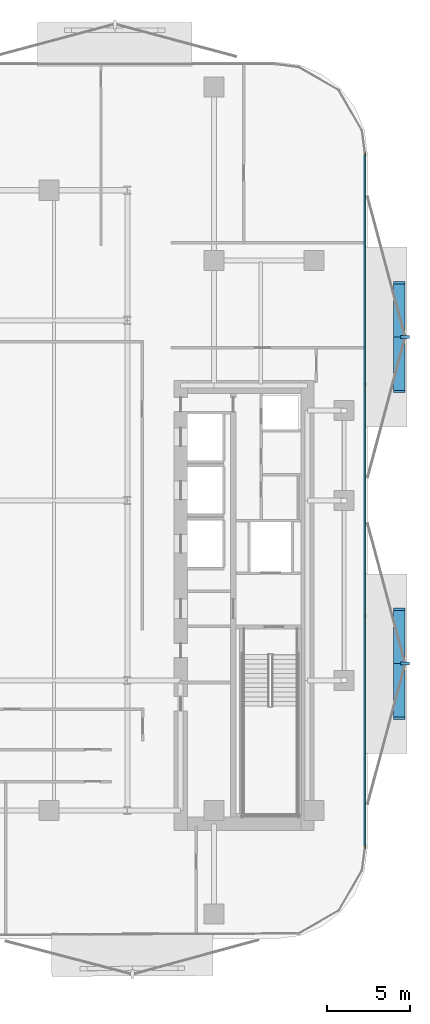
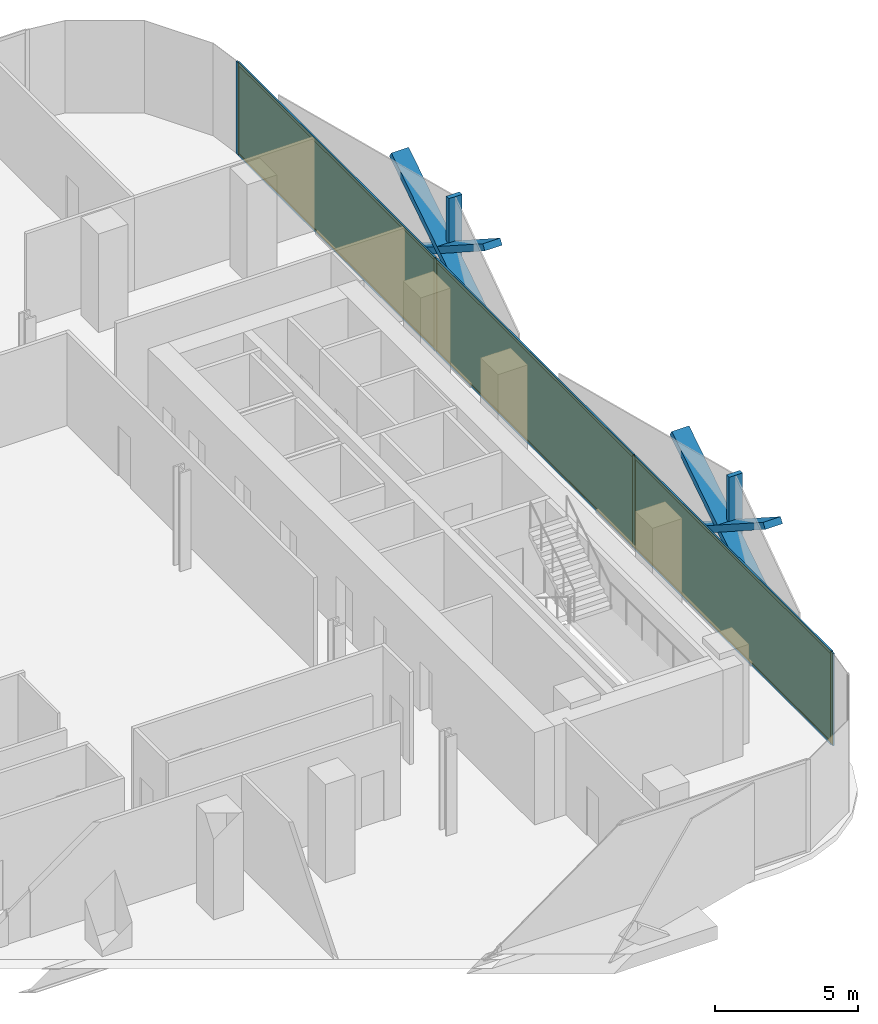
# One storey, part 9 of 15: 16 members, 3 plates, 1 curtain wall.
"""IFC4 building model written with IfcOpenShell, lengths in metres."""

from ifc_helpers import new_model, si_unit, direction, frame, frame_2d, origin, origin_2d, place, context, subcontext, project, spatial, rectangle, extrude, material, layer, layer_set, material_profile, profile_set, type_object, element, aggregate, save


model = new_model("IFC4")

# Units and contexts
model_context = context("Model", 3, precision=1e-05, world=origin(), true_north=direction((0.0, 1.0)))
body_context = subcontext(model_context, "Body", "Model", "MODEL_VIEW")
ifc_project = project(units=[si_unit("LENGTHUNIT", "METRE"), si_unit("AREAUNIT", "SQUARE_METRE"), si_unit("VOLUMEUNIT", "CUBIC_METRE"), si_unit("PLANEANGLEUNIT", "RADIAN"), si_unit("MASSUNIT", "GRAM", prefix="KILO")], contexts=[model_context])

# Member
ifc_material_1 = material(Name="Anodised Bronze Aluminium 6063-T6", Category="aluminium")
ifc_material_profile_1 = material_profile(ifc_material_1, rectangle(XDim=0.260009765625, YDim=0.699951171875, at=origin_2d()))
ifc_profile_set_1 = profile_set([ifc_material_profile_1], Name="Anodised Bronze Aluminium 6063-T6")
member_type_1 = type_object("IfcMemberType", Name="Bronze Diamond Solar-Screen Lattice Rib BDL-700", PredefinedType="MULLION", material=ifc_profile_set_1)
site_placement = place(None, origin())
building_placement = place(site_placement, origin())
storey_placement = place(building_placement, frame((0.0, 0.0, 122.60009765625)))
member_1_placement = place(storey_placement, frame((25.5, 13.060546875, -0.130126953125), z_axis=(0.0, -0.841066075866, 0.540932395062), x_axis=(0.0, -0.540932395062, -0.841066075866)))
member_1 = element("IfcMember", 1, at=member_1_placement, type_object=member_type_1, Name="L28 Bronze Diamond Solar Screen Lattice Rib 175A", PredefinedType="MULLION", context=body_context, shape_type="SweptSolid", body=[
    extrude(rectangle(XDim=0.260009765625, YDim=0.699951171875, at=origin_2d()), origin(), (0.0, 0.0, 1.0), 7.76416015625),
])

member_2_placement = place(storey_placement, frame((25.5, 6.5302734375, -0.130126953125), z_axis=(0.0, 0.841066075866, 0.540932395062), x_axis=(0.0, 0.540932395062, -0.841066075866)))
member_2 = element("IfcMember", 2, at=member_2_placement, type_object=member_type_1, Name="L28 Bronze Diamond Solar Screen Lattice Rib 175B", PredefinedType="MULLION", context=body_context, shape_type="SweptSolid", body=[
    extrude(rectangle(XDim=0.260009765625, YDim=0.699951171875, at=origin_2d()), origin(), (0.0, 0.0, 1.0), 7.76416015625),
])

member_3_placement = place(storey_placement, frame((25.5, -6.5302734375, -0.130126953125), z_axis=(0.0, -0.841066075866, 0.540932395062), x_axis=(0.0, -0.540932395062, -0.841066075866)))
member_3 = element("IfcMember", 3, at=member_3_placement, type_object=member_type_1, Name="L28 Bronze Diamond Solar Screen Lattice Rib 176A", PredefinedType="MULLION", context=body_context, shape_type="SweptSolid", body=[
    extrude(rectangle(XDim=0.260009765625, YDim=0.699951171875, at=origin_2d()), origin(), (0.0, 0.0, 1.0), 7.76416015625),
])

member_4_placement = place(storey_placement, frame((25.5, -13.060546875, -0.130126953125), z_axis=(0.0, 0.841066075866, 0.540932395062), x_axis=(0.0, 0.540932395062, -0.841066075866)))
member_4 = element("IfcMember", 4, at=member_4_placement, type_object=member_type_1, Name="L28 Bronze Diamond Solar Screen Lattice Rib 176B", PredefinedType="MULLION", context=body_context, shape_type="SweptSolid", body=[
    extrude(rectangle(XDim=0.260009765625, YDim=0.699951171875, at=origin_2d()), origin(), (0.0, 0.0, 1.0), 7.76416015625),
])

ifc_material_2 = material(Name="Anodised Bronze Aluminium 6063-T6", Category="aluminium")
ifc_material_profile_2 = material_profile(ifc_material_2, rectangle(XDim=0.179931640625, YDim=0.5400390625, at=origin_2d()))
ifc_profile_set_2 = profile_set([ifc_material_profile_2], Name="Anodised Bronze Aluminium 6063-T6")
member_type_2 = type_object("IfcMemberType", Name="Bronze Solar-Screen Vertical Fold Fin BSF-540", PredefinedType="MULLION", material=ifc_profile_set_2)
member_5_placement = place(storey_placement, frame((25.840087890625, 9.79541015625, -0.130126953125), z_axis=(0.0, 0.0, 1.0), x_axis=(0.0, -1.0, 0.0)))
member_5 = element("IfcMember", 5, at=member_5_placement, type_object=member_type_2, Name="L28 Bronze Solar Screen Vertical Fin 175", PredefinedType="MULLION", context=body_context, shape_type="SweptSolid", body=[
    extrude(rectangle(XDim=0.179931640625, YDim=0.5400390625, at=origin_2d()), origin(), (0.0, 0.0, 1.0), 4.199951171875),
])

member_6_placement = place(storey_placement, frame((25.840087890625, -9.79541015625, -0.130126953125), z_axis=(0.0, 0.0, 1.0), x_axis=(0.0, -1.0, 0.0)))
member_6 = element("IfcMember", 6, at=member_6_placement, type_object=member_type_2, Name="L28 Bronze Solar Screen Vertical Fin 176", PredefinedType="MULLION", context=body_context, shape_type="SweptSolid", body=[
    extrude(rectangle(XDim=0.179931640625, YDim=0.5400390625, at=origin_2d()), origin(), (0.0, 0.0, 1.0), 4.199951171875),
])

ifc_material_3 = material(Name="Anodised Bronze Aluminium 6063-T6", Category="aluminium")
ifc_material_profile_3 = material_profile(ifc_material_3, rectangle(XDim=0.06494140625, YDim=0.175048828125, at=origin_2d()))
ifc_profile_set_3 = profile_set([ifc_material_profile_3], Name="Anodised Bronze Aluminium 6063-T6")
member_type_3 = type_object("IfcMemberType", Name="CW-Z2 Mullion 65x175", PredefinedType="MULLION", material=ifc_profile_set_3)
member_7_placement = place(storey_placement, frame((23.4599609375, 20.75830078125, 0.0), z_axis=(0.0, 0.0, 1.0), x_axis=(1.0, 0.0, 0.0)))
member_7 = element("IfcMember", 7, at=member_7_placement, type_object=member_type_3, Name="CW-Z2 mullion 1", PredefinedType="MULLION", context=body_context, shape_type="SweptSolid", body=[
    extrude(rectangle(XDim=0.06494140625, YDim=0.175048828125, at=origin_2d()), origin(), (0.0, 0.0, 1.0), 3.93994140625),
])

member_8_placement = place(storey_placement, frame((23.4599609375, 6.93017578125, 0.0), z_axis=(0.0, 0.0, 1.0), x_axis=(1.0, 0.0, 0.0)))
member_8 = element("IfcMember", 8, at=member_8_placement, type_object=member_type_3, Name="CW-Z2 mullion 2", PredefinedType="MULLION", context=body_context, shape_type="SweptSolid", body=[
    extrude(rectangle(XDim=0.06494140625, YDim=0.175048828125, at=origin_2d()), origin(), (0.0, 0.0, 1.0), 3.93994140625),
])

member_9_placement = place(storey_placement, frame((23.4599609375, -6.93017578125, 0.0), z_axis=(0.0, 0.0, 1.0), x_axis=(1.0, 0.0, 0.0)))
member_9 = element("IfcMember", 9, at=member_9_placement, type_object=member_type_3, Name="CW-Z2 mullion 3", PredefinedType="MULLION", context=body_context, shape_type="SweptSolid", body=[
    extrude(rectangle(XDim=0.06494140625, YDim=0.175048828125, at=origin_2d()), origin(), (0.0, 0.0, 1.0), 3.93994140625),
])

member_10_placement = place(storey_placement, frame((23.4599609375, -20.75830078125, 0.0), z_axis=(0.0, 0.0, 1.0), x_axis=(1.0, 0.0, 0.0)))
member_10 = element("IfcMember", 10, at=member_10_placement, type_object=member_type_3, Name="CW-Z2 mullion 4", PredefinedType="MULLION", context=body_context, shape_type="SweptSolid", body=[
    extrude(rectangle(XDim=0.06494140625, YDim=0.175048828125, at=origin_2d()), origin(), (0.0, 0.0, 1.0), 3.93994140625),
])

ifc_material_4 = material(Name="Anodised Bronze Aluminium 6063-T6", Category="aluminium")
ifc_material_profile_4 = material_profile(ifc_material_4, rectangle(XDim=0.06494140625, YDim=0.135009765625, at=origin_2d()))
ifc_profile_set_4 = profile_set([ifc_material_profile_4], Name="Anodised Bronze Aluminium 6063-T6")
member_type_4 = type_object("IfcMemberType", Name="CW-Z2 Transom 65x135", PredefinedType="USERDEFINED", material=ifc_profile_set_4)
member_11_placement = place(storey_placement, frame((23.4599609375, 20.725830078125, 0.032470703125), z_axis=(0.0, -1.0, 0.0), x_axis=(1.0, 0.0, 0.0)))
member_11 = element("IfcMember", 11, at=member_11_placement, type_object=member_type_4, Name="CW-Z2 transom 1.1", ObjectType="TRANSOM", PredefinedType="USERDEFINED", context=body_context, shape_type="SweptSolid", body=[
    extrude(rectangle(XDim=0.06494140625, YDim=0.135009765625, at=origin_2d()), origin(), (0.0, 0.0, 1.0), 13.76318359375),
])

member_12_placement = place(storey_placement, frame((23.4599609375, 20.725830078125, 3.907470703125), z_axis=(0.0, -1.0, 0.0), x_axis=(1.0, 0.0, 0.0)))
member_12 = element("IfcMember", 12, at=member_12_placement, type_object=member_type_4, Name="CW-Z2 transom 1.2", ObjectType="TRANSOM", PredefinedType="USERDEFINED", context=body_context, shape_type="SweptSolid", body=[
    extrude(rectangle(XDim=0.06494140625, YDim=0.135009765625, at=origin_2d()), origin(), (0.0, 0.0, 1.0), 13.76318359375),
])

member_13_placement = place(storey_placement, frame((23.4599609375, 6.897705078125, 0.032470703125), z_axis=(0.0, -1.0, 0.0), x_axis=(1.0, 0.0, 0.0)))
member_13 = element("IfcMember", 13, at=member_13_placement, type_object=member_type_4, Name="CW-Z2 transom 2.1", ObjectType="TRANSOM", PredefinedType="USERDEFINED", context=body_context, shape_type="SweptSolid", body=[
    extrude(rectangle(XDim=0.06494140625, YDim=0.135009765625, at=origin_2d()), origin(), (0.0, 0.0, 1.0), 13.79541015625),
])

member_14_placement = place(storey_placement, frame((23.4599609375, 6.897705078125, 3.907470703125), z_axis=(0.0, -1.0, 0.0), x_axis=(1.0, 0.0, 0.0)))
member_14 = element("IfcMember", 14, at=member_14_placement, type_object=member_type_4, Name="CW-Z2 transom 2.2", ObjectType="TRANSOM", PredefinedType="USERDEFINED", context=body_context, shape_type="SweptSolid", body=[
    extrude(rectangle(XDim=0.06494140625, YDim=0.135009765625, at=origin_2d()), origin(), (0.0, 0.0, 1.0), 13.79541015625),
])

member_15_placement = place(storey_placement, frame((23.4599609375, -6.962646484375, 0.032470703125), z_axis=(0.0, -1.0, 0.0), x_axis=(1.0, 0.0, 0.0)))
member_15 = element("IfcMember", 15, at=member_15_placement, type_object=member_type_4, Name="CW-Z2 transom 3.1", ObjectType="TRANSOM", PredefinedType="USERDEFINED", context=body_context, shape_type="SweptSolid", body=[
    extrude(rectangle(XDim=0.06494140625, YDim=0.135009765625, at=origin_2d()), origin(), (0.0, 0.0, 1.0), 13.76318359375),
])

member_16_placement = place(storey_placement, frame((23.4599609375, -6.962646484375, 3.907470703125), z_axis=(0.0, -1.0, 0.0), x_axis=(1.0, 0.0, 0.0)))
member_16 = element("IfcMember", 16, at=member_16_placement, type_object=member_type_4, Name="CW-Z2 transom 3.2", ObjectType="TRANSOM", PredefinedType="USERDEFINED", context=body_context, shape_type="SweptSolid", body=[
    extrude(rectangle(XDim=0.06494140625, YDim=0.135009765625, at=origin_2d()), origin(), (0.0, 0.0, 1.0), 13.76318359375),
])

# Plate
ifc_material_5 = material(Name="Low-E Solar Control Laminated Glass", Category="glass")
ifc_layer_1 = layer(ifc_material_5, 0.028076171875, Name="Low-E Solar Control Laminated Glass")
ifc_layer_set_1 = layer_set([ifc_layer_1], Name="Low-E Solar Control Laminated Glass")
plate_type = type_object("IfcPlateType", Name="CW-Z2 Low-E Double Glazed Panel 28mm", PredefinedType="CURTAIN_PANEL", material=ifc_layer_set_1)
plate_1_placement = place(storey_placement, frame((23.4599609375, 13.84423828125, 0.06494140625), z_axis=(0.0, 0.0, 1.0), x_axis=(0.0, -1.0, 0.0)))
plate_1 = element("IfcPlate", 17, at=plate_1_placement, type_object=plate_type, Name="CW-Z2 panel 1.1", PredefinedType="CURTAIN_PANEL", context=body_context, shape_type="SweptSolid", body=[
    extrude(rectangle(XDim=13.762939453125, YDim=0.028076171875, at=origin_2d()), origin(), (0.0, 0.0, 1.0), 3.81005859375),
])

plate_2_placement = place(storey_placement, frame((23.4599609375, 0.0, 0.06494140625), z_axis=(0.0, 0.0, 1.0), x_axis=(0.0, -1.0, 0.0)))
plate_2 = element("IfcPlate", 18, at=plate_2_placement, type_object=plate_type, Name="CW-Z2 panel 2.1", PredefinedType="CURTAIN_PANEL", context=body_context, shape_type="SweptSolid", body=[
    extrude(rectangle(XDim=13.795654296875, YDim=0.028076171875, at=origin_2d()), origin(), (0.0, 0.0, 1.0), 3.81005859375),
])

plate_3_placement = place(storey_placement, frame((23.4599609375, -13.84423828125, 0.06494140625), z_axis=(0.0, 0.0, 1.0), x_axis=(0.0, -1.0, 0.0)))
plate_3 = element("IfcPlate", 19, at=plate_3_placement, type_object=plate_type, Name="CW-Z2 panel 3.1", PredefinedType="CURTAIN_PANEL", context=body_context, shape_type="SweptSolid", body=[
    extrude(rectangle(XDim=13.762939453125, YDim=0.028076171875, at=origin_2d()), origin(), (0.0, 0.0, 1.0), 3.81005859375),
])

# Site, building, storey
site = spatial("IfcSite", under=ifc_project, at=site_placement, CompositionType="ELEMENT")
building = spatial("IfcBuilding", under=site, at=building_placement, Name="Khairoan Windgate Tower", CompositionType="ELEMENT")
storey = spatial("IfcBuildingStorey", under=building, at=storey_placement, Name="L28", CompositionType="ELEMENT", Elevation=122.60009765625)

# Curtain wall
ifc_material_6 = material(Name="Anodised Bronze Aluminium 6063-T6", Category="aluminium")
ifc_layer_2 = layer(ifc_material_6, 0.175048828125, Name="Anodised Bronze Aluminium 6063-T6")
ifc_layer_set_2 = layer_set([ifc_layer_2], Name="Anodised Bronze Aluminium 6063-T6")
curtain_wall_type = type_object("IfcCurtainWallType", Name="Mid-Rise Office Unitised Curtain Wall CW-Z2", PredefinedType="NOTDEFINED", material=ifc_layer_set_2)
curtain_wall_placement = place(storey_placement, frame((23.4599609375, 20.790771484375, 0.0), z_axis=(0.0, 0.0, 1.0), x_axis=(0.0, -1.0, 0.0)))
curtain_wall = element("IfcCurtainWall", 20, at=curtain_wall_placement, inside=storey, type_object=curtain_wall_type, Name="L28 Unitised Curtain Wall 16", PredefinedType="NOTDEFINED", context=body_context, shape_type="SweptSolid", body=[
    extrude(rectangle(XDim=41.58154296875, YDim=0.010009765625, at=frame_2d((20.790771484375, 0.0))), origin(), (0.0, 0.0, 1.0), 3.93994140625),
])

aggregate(curtain_wall, [member_7, member_8, member_9, member_10, member_11, member_12, plate_1, member_13, member_14, plate_2, member_15, member_16, plate_3, member_1, member_2, member_5, member_3, member_4, member_6])

save(model, "model.ifc")
